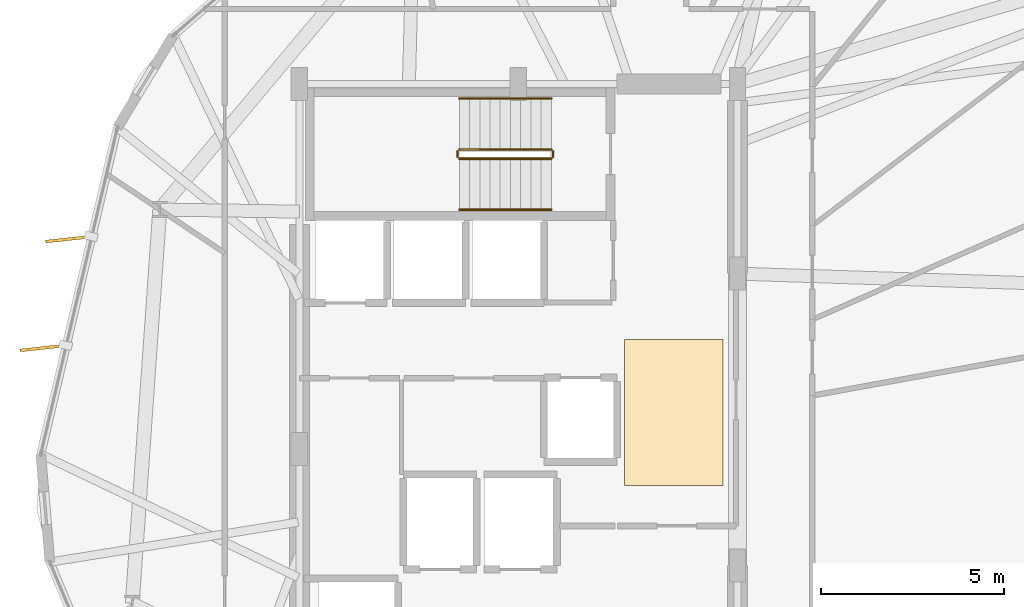
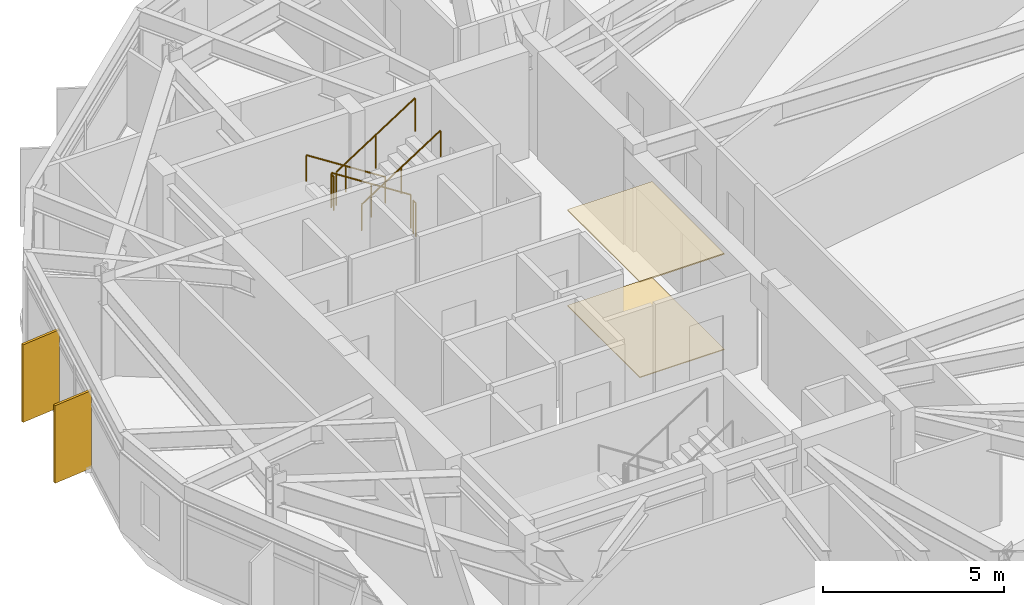
# One storey, part 26 of 27: 6 railings, 2 coverings, 2 shading devices.
"""IFC4 building model written with IfcOpenShell, lengths in metres."""

from ifc_helpers import new_model, si_unit, direction, frame, origin, origin_2d, place, context, subcontext, project, spatial, polyline, rectangle, circle, outline, extrude, material, layer, layer_set, type_object, element, save


model = new_model("IFC4")

# Units and contexts
model_context = context("Model", 3, precision=1e-05, world=origin(), true_north=direction((0.0, 1.0)))
body_context = subcontext(model_context, "Body", "Model", "MODEL_VIEW")
ifc_project = project(units=[si_unit("LENGTHUNIT", "METRE"), si_unit("AREAUNIT", "SQUARE_METRE"), si_unit("VOLUMEUNIT", "CUBIC_METRE"), si_unit("PLANEANGLEUNIT", "RADIAN"), si_unit("MASSUNIT", "GRAM", prefix="KILO")], contexts=[model_context])

# Site, building, storey
site_placement = place(None, origin())
site = spatial("IfcSite", under=ifc_project, at=site_placement, CompositionType="ELEMENT")
building_placement = place(site_placement, origin())
building = spatial("IfcBuilding", under=site, at=building_placement, Name="Soratama Intermodal Tower", CompositionType="ELEMENT")
storey_placement = place(building_placement, frame((0.0, 0.0, 182.199951171875)))
storey = spatial("IfcBuildingStorey", under=building, at=storey_placement, Name="L45", CompositionType="ELEMENT", Elevation=182.199951171875)

# Coverings
ifc_material_1 = material(Name="Perforated mineral acoustic ceiling", Category="concrete")
ifc_layer_1 = layer(ifc_material_1, 0.0400390625)
ifc_layer_set_1 = layer_set([ifc_layer_1], Name="Perforated mineral acoustic ceiling")
covering_type_1 = type_object("IfcCoveringType", Name="CV-CEIL-ACOUSTIC", PredefinedType="CEILING", material=ifc_layer_set_1)
covering_1_placement = place(storey_placement, frame((0.0, 0.0, 3.219970703125)))
element("IfcCovering", 1, at=covering_1_placement, inside=storey, type_object=covering_type_1, Name="L45 Acoustic Ceiling", PredefinedType="CEILING", context=body_context, shape_type="SweptSolid", body=[
    extrude(outline(polyline([(41.5, 24.0), (44.199951171875, 24.0), (44.199951171875, 28.0), (41.5, 28.0), (41.5, 24.0)])), origin(), (0.0, 0.0, 1.0), 0.0400390625),
])
ifc_material_2 = material(Name="Polished Andean stone terrazzo flooring", Category="masonry")
ifc_layer_2 = layer(ifc_material_2, 0.030029296875)
ifc_layer_set_2 = layer_set([ifc_layer_2], Name="Polished Andean stone terrazzo flooring")
covering_type_2 = type_object("IfcCoveringType", Name="CV-FLOR-TERRAZZO", PredefinedType="FLOORING", material=ifc_layer_set_2)
covering_2_placement = place(storey_placement, origin())
element("IfcCovering", 2, at=covering_2_placement, inside=storey, type_object=covering_type_2, Name="L45 Lobby Terrazzo Flooring", PredefinedType="FLOORING", context=body_context, shape_type="SweptSolid", body=[
    extrude(outline(polyline([(41.5, 24.0), (44.199951171875, 24.0), (44.199951171875, 28.0), (41.5, 28.0), (41.5, 24.0)])), origin(), (0.0, 0.0, 1.0), 0.030029296875),
])

# Railings
ifc_material_3 = material(Name="Painted steel stair guardrail", Category="steel")
railing_type_1 = type_object("IfcRailingType", Name="RL-STAIR-GUARD", PredefinedType="GUARDRAIL", material=ifc_material_3)
railing_1_placement = place(storey_placement, frame((39.5, 33.199951171875, 0.179931640625)))
element("IfcRailing", 3, at=railing_1_placement, inside=storey, type_object=railing_type_1, Name="L45 ST-2 stair guard 1", PredefinedType="GUARDRAIL", context=body_context, shape_type="SweptSolid", body=[
    extrude(circle(Radius=0.02392578125, at=origin_2d()), frame((0.0, 0.0, 1.1259765625), z_axis=(-0.841162588446, 0.0, 0.540782303519), x_axis=(0.0, -1.0, 0.0)), (0.0, 0.0, 1.0), 2.995849609375),
    extrude(circle(Radius=0.02099609375, at=origin_2d()), origin(), (0.0, 0.0, 1.0), 1.101806640625),
    extrude(circle(Radius=0.02099609375, at=origin_2d()), frame((-1.260009765625, 0.0, 0.81005859375)), (0.0, 0.0, 1.0), 1.101806640625),
    extrude(circle(Radius=0.02099609375, at=origin_2d()), frame((-2.52001953125, 0.0, 1.6201171875)), (0.0, 0.0, 1.0), 1.101806640625),
])
railing_2_placement = place(storey_placement, frame((36.929931640625, 33.14990234375, 1.800048828125)))
element("IfcRailing", 4, at=railing_2_placement, inside=storey, type_object=railing_type_1, Name="L45 ST-2 stair guard 2", PredefinedType="GUARDRAIL", context=body_context, shape_type="SweptSolid", body=[
    extrude(circle(Radius=0.02392578125, at=origin_2d()), frame((0.0, 0.0, 1.1259765625), z_axis=(0.0, -1.0, 0.0), x_axis=(1.0, 0.0, 0.0)), (0.0, 0.0, 1.0), 0.14990234375),
    extrude(circle(Radius=0.02099609375, at=origin_2d()), origin(), (0.0, 0.0, 1.0), 1.101806640625),
    extrude(circle(Radius=0.02099609375, at=origin_2d()), frame((0.0, -0.14990234375, 0.0)), (0.0, 0.0, 1.0), 1.101806640625),
])
railing_3_placement = place(storey_placement, frame((36.97998046875, 32.949951171875, 1.97998046875)))
element("IfcRailing", 5, at=railing_3_placement, inside=storey, type_object=railing_type_1, Name="L45 ST-2 stair guard 3", PredefinedType="GUARDRAIL", context=body_context, shape_type="SweptSolid", body=[
    extrude(circle(Radius=0.02392578125, at=origin_2d()), frame((0.0, 0.0, 1.1259765625), z_axis=(0.841162588446, 0.0, 0.540782303519), x_axis=(0.0, 1.0, 0.0)), (0.0, 0.0, 1.0), 2.995849609375),
    extrude(circle(Radius=0.02099609375, at=origin_2d()), origin(), (0.0, 0.0, 1.0), 1.101806640625),
    extrude(circle(Radius=0.02099609375, at=origin_2d()), frame((1.260009765625, 0.0, 0.81005859375)), (0.0, 0.0, 1.0), 1.101806640625),
    extrude(circle(Radius=0.02099609375, at=origin_2d()), frame((2.52001953125, 0.0, 1.6201171875)), (0.0, 0.0, 1.0), 1.101806640625),
])
railing_4_placement = place(storey_placement, frame((39.550048828125, 33.14990234375, 0.0)))
element("IfcRailing", 6, at=railing_4_placement, inside=storey, type_object=railing_type_1, Name="L45 ST-2 stair guard 4", PredefinedType="GUARDRAIL", context=body_context, shape_type="SweptSolid", body=[
    extrude(circle(Radius=0.02392578125, at=origin_2d()), frame((0.0, 0.0, 1.1259765625), z_axis=(0.0, -1.0, 0.0), x_axis=(1.0, 0.0, 0.0)), (0.0, 0.0, 1.0), 0.14990234375),
    extrude(circle(Radius=0.02099609375, at=origin_2d()), origin(), (0.0, 0.0, 1.0), 1.101806640625),
    extrude(circle(Radius=0.02099609375, at=origin_2d()), frame((0.0, -0.14990234375, 0.0)), (0.0, 0.0, 1.0), 1.101806640625),
])
ifc_material_4 = material(Name="Brushed stainless steel handrail", Category="steel")
railing_type_2 = type_object("IfcRailingType", Name="RL-STAIR-HAND", PredefinedType="HANDRAIL", material=ifc_material_4)
railing_5_placement = place(storey_placement, frame((39.5, 34.60009765625, 0.179931640625)))
element("IfcRailing", 7, at=railing_5_placement, inside=storey, type_object=railing_type_2, Name="L45 ST-2 stair handrail 1", PredefinedType="HANDRAIL", context=body_context, shape_type="SweptSolid", body=[
    extrude(circle(Radius=0.02392578125, at=origin_2d()), frame((0.0, 0.0, 0.8759765625), z_axis=(-0.841162588446, 0.0, 0.540782303519), x_axis=(0.0, -1.0, 0.0)), (0.0, 0.0, 1.0), 2.995849609375),
    extrude(circle(Radius=0.02099609375, at=origin_2d()), origin(), (0.0, 0.0, 1.0), 0.851806640625),
    extrude(circle(Radius=0.02099609375, at=origin_2d()), frame((-1.260009765625, 0.0, 0.81005859375)), (0.0, 0.0, 1.0), 0.851806640625),
    extrude(circle(Radius=0.02099609375, at=origin_2d()), frame((-2.52001953125, 0.0, 1.6201171875)), (0.0, 0.0, 1.0), 0.851806640625),
])
railing_6_placement = place(storey_placement, frame((36.97998046875, 31.550048828125, 1.97998046875)))
element("IfcRailing", 8, at=railing_6_placement, inside=storey, type_object=railing_type_2, Name="L45 ST-2 stair handrail 2", PredefinedType="HANDRAIL", context=body_context, shape_type="SweptSolid", body=[
    extrude(circle(Radius=0.02392578125, at=origin_2d()), frame((0.0, 0.0, 0.8759765625), z_axis=(0.841162588446, 0.0, 0.540782303519), x_axis=(0.0, 1.0, 0.0)), (0.0, 0.0, 1.0), 2.995849609375),
    extrude(circle(Radius=0.02099609375, at=origin_2d()), origin(), (0.0, 0.0, 1.0), 0.851806640625),
    extrude(circle(Radius=0.02099609375, at=origin_2d()), frame((1.260009765625, 0.0, 0.81005859375)), (0.0, 0.0, 1.0), 0.851806640625),
    extrude(circle(Radius=0.02099609375, at=origin_2d()), frame((2.52001953125, 0.0, 1.6201171875)), (0.0, 0.0, 1.0), 0.851806640625),
])

# Shading devices
ifc_material_5 = material(Name="Champagne anodised aluminium solar fin", Category="aluminium")
ifc_layer_3 = layer(ifc_material_5, 0.080078125)
ifc_layer_set_3 = layer_set([ifc_layer_3], Name="Champagne anodised aluminium solar fin")
shading_device_type = type_object("IfcShadingDeviceType", Name="SH-FIN-1250", PredefinedType="USERDEFINED", material=ifc_layer_set_3)
for number, where, z_axis, x_axis, name in (
    (9, (26.269775390625, 30.74560546875, 0.02001953125), (0.0, 0.0, 1.0), (-0.994113204519, -0.108346373271, 0.0), "L45 Solar Fin F04-1"),
    (10, (25.570556640625, 27.763916015625, 0.02001953125), (0.0, 0.0, 1.0), (-0.994113204519, -0.108346373271, 0.0), "L45 Solar Fin F04-2"),
):
    element("IfcShadingDevice", number, at=place(storey_placement, frame(where, z_axis=z_axis, x_axis=x_axis)), inside=storey, type_object=shading_device_type, Name=name, ObjectType="FIN", PredefinedType="USERDEFINED", context=body_context, shape_type="SweptSolid", body=[
        extrude(rectangle(XDim=1.25, YDim=0.080078125, at=origin_2d()), origin(), (0.0, 0.0, 1.0), 2.618896484375),
    ])

save(model, "model.ifc")
